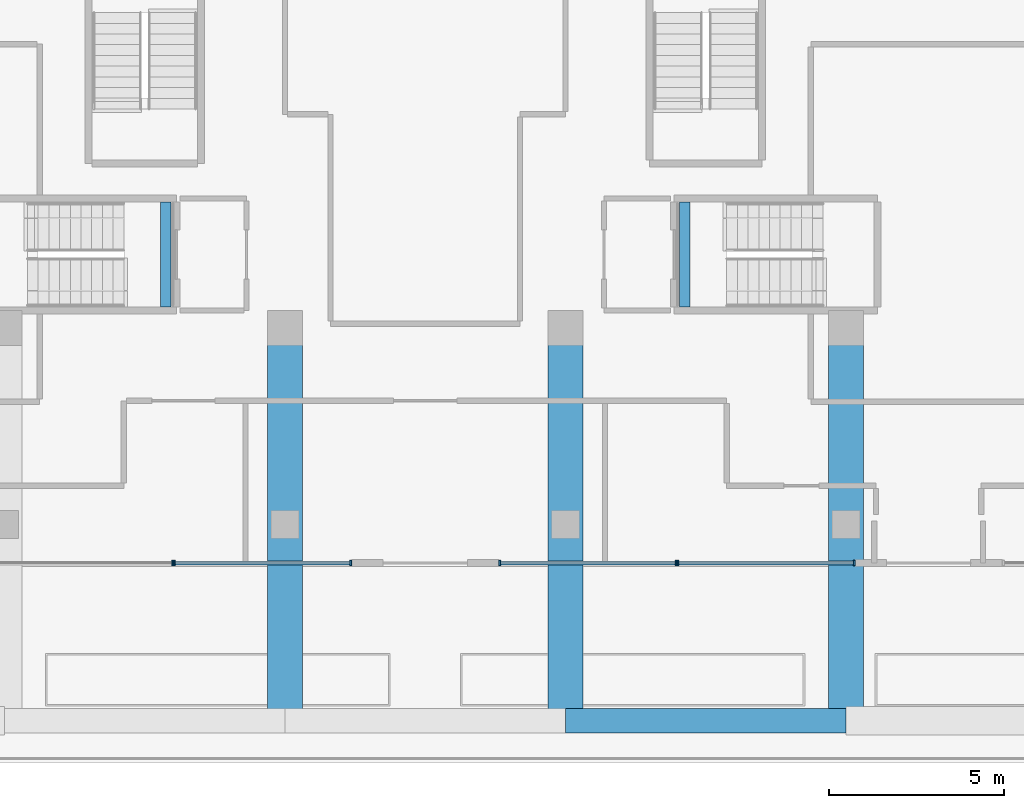
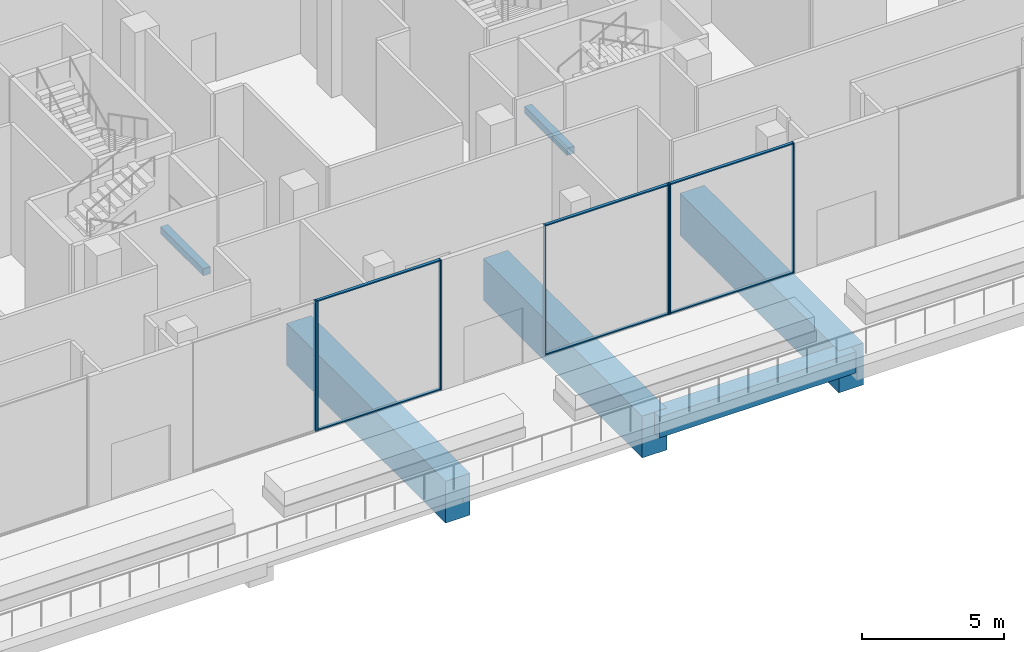
# One storey, part 6 of 36: 13 members, 6 beams, 4 elements without a shape of their own.
"""IFC4 building model written with IfcOpenShell, lengths in metres."""

import ifcopenshell
import ifcopenshell.guid

model = None  # the IFC model being written
_history = None  # IfcOwnerHistory: only IFC2X3 demands one
_inside = {}  # id of a spatial element -> (the spatial element, [elements in it])
_under = {}  # id of a project, library or spatial element -> (it, [spatial elements below it])
_declared = {}  # id of a project -> (the project, [libraries it declares])
_typed = {}  # id of a type object -> (the type object, [elements of that type])
_made_of = {}  # id of a material, layer set ... -> (it, [elements and type objects made of it])


def new_model(schema):
    """Start an empty IFC model of exactly this schema.

    Asked for "IFC4X3", IfcOpenShell would pick the latest addendum, in which some entities
    have other attributes; the version numbers below select the first issue.
    IFC2X3 requires an IfcOwnerHistory on every rooted entity: one is made here for all.
    """
    global model, _history
    if schema == "IFC4X3":
        model = ifcopenshell.file(schema_version=(4, 3, 0, 0))
    else:
        model = ifcopenshell.file(schema=schema)
    _inside.clear()
    _under.clear()
    _declared.clear()
    _typed.clear()
    _made_of.clear()
    _history = None
    if model.schema == "IFC2X3":
        org = make("IfcOrganization", Name="unknown")
        user = make(
            "IfcPersonAndOrganization",
            ThePerson=make("IfcPerson", FamilyName="unknown"),
            TheOrganization=org,
        )
        app = make(
            "IfcApplication",
            ApplicationDeveloper=org,
            Version="unknown",
            ApplicationFullName="unknown",
            ApplicationIdentifier="unknown",
        )
        _history = make(
            "IfcOwnerHistory",
            OwningUser=user,
            OwningApplication=app,
            ChangeAction="ADDED",
            CreationDate=0,
        )
    return model


def make(cls, **values):
    """One entity of the class cls with the attributes given. An attribute that is None is left unset."""
    return model.create_entity(
        cls, **{name: value for name, value in values.items() if value is not None}
    )


def rooted(cls, **values):
    """An entity with a GlobalId (a new one), such as an element, a storey or a relation."""
    return make(cls, GlobalId=ifcopenshell.guid.new(), OwnerHistory=_history, **values)


def si_unit(unit_type, name, prefix=None):
    """IfcSIUnit, for example si_unit("LENGTHUNIT", "METRE", prefix="MILLI")."""
    return make("IfcSIUnit", UnitType=unit_type, Prefix=prefix, Name=name)


def assignment(units):
    """IfcUnitAssignment: the units of a project."""
    return None if units is None else make("IfcUnitAssignment", Units=units)


def point(xyz):
    """IfcCartesianPoint."""
    return None if xyz is None else make("IfcCartesianPoint", Coordinates=xyz)


def direction(xyz):
    """IfcDirection."""
    return None if xyz is None else make("IfcDirection", DirectionRatios=xyz)


def frame(location, z_axis=None, x_axis=None):
    """IfcAxis2Placement3D, a coordinate frame: its origin and axes. An axis left out is left unset."""
    return make(
        "IfcAxis2Placement3D",
        Location=point(location),
        Axis=direction(z_axis),
        RefDirection=direction(x_axis),
    )


def frame_2d(location, x_axis=None):
    """IfcAxis2Placement2D, a coordinate frame in the plane: its origin and x axis."""
    return make(
        "IfcAxis2Placement2D", Location=point(location), RefDirection=direction(x_axis)
    )


def origin():
    """The frame at (0, 0, 0) with its axes left unset."""
    return frame((0.0, 0.0, 0.0))


def origin_2d():
    """The frame at (0, 0) in the plane with its x axis left unset."""
    return frame_2d((0.0, 0.0))


def place(relative_to, where):
    """IfcLocalPlacement: puts the frame where relative to a parent placement (None: the world)."""
    return make(
        "IfcLocalPlacement", PlacementRelTo=relative_to, RelativePlacement=where
    )


def context(
    kind, dimensions, precision=None, world=None, true_north=None, identifier=None
):
    """IfcGeometricRepresentationContext, for example the 3D "Model" context."""
    return make(
        "IfcGeometricRepresentationContext",
        ContextIdentifier=identifier,
        ContextType=kind,
        CoordinateSpaceDimension=dimensions,
        Precision=precision,
        WorldCoordinateSystem=world,
        TrueNorth=true_north,
    )


def subcontext(parent, identifier, kind, view, scale=None):
    """IfcGeometricRepresentationSubContext, for example "Body" below "Model"."""
    return make(
        "IfcGeometricRepresentationSubContext",
        ContextIdentifier=identifier,
        ContextType=kind,
        ParentContext=parent,
        TargetScale=scale,
        TargetView=view,
    )


def project(units=None, contexts=None):
    """IfcProject with its units and contexts."""
    return rooted(
        "IfcProject",
        Name="project",
        RepresentationContexts=contexts,
        UnitsInContext=assignment(units),
    )


def spatial(cls, under=None, at=None, **own):
    """A site, building, storey or space (cls), placed at a placement, below another one or the project."""
    s = rooted(cls, ObjectPlacement=at, **own)
    if under is not None:
        _under.setdefault(under.id(), (under, []))[1].append(s)
    return s


def profile(cls, at=None, kind="AREA", **sizes):
    """A parametric profile (cls). Its sizes go by their IFC names, for example OverallWidth=200.0."""
    return make(cls, ProfileType=kind, Position=at, **sizes)


def rectangle(**sizes):
    """IfcRectangleProfileDef."""
    return profile("IfcRectangleProfileDef", **sizes)


def extrude(swept, where, along, depth):
    """IfcExtrudedAreaSolid: the profile swept, set in the frame where, extruded along a direction by depth."""
    return make(
        "IfcExtrudedAreaSolid",
        SweptArea=swept,
        Position=where,
        ExtrudedDirection=direction(along),
        Depth=depth,
    )


def shape(context_of_items, identifier, shape_type, items):
    """IfcShapeRepresentation: the items that make up one representation, for example the "Body"."""
    return make(
        "IfcShapeRepresentation",
        ContextOfItems=context_of_items,
        RepresentationIdentifier=identifier,
        RepresentationType=shape_type,
        Items=items,
    )


def material(Name=None, Category=None):
    """IfcMaterial."""
    return make("IfcMaterial", Name=Name, Category=Category)


def layer(
    of_material, thickness, ventilated=None, Name=None, Category=None, Priority=None
):
    """IfcMaterialLayer: one layer of a wall or slab, of a material (None: an air gap)."""
    return make(
        "IfcMaterialLayer",
        Material=of_material,
        LayerThickness=thickness,
        IsVentilated=ventilated,
        Name=Name,
        Category=Category,
        Priority=Priority,
    )


def layer_set(layers, Name=None):
    """IfcMaterialLayerSet."""
    return make("IfcMaterialLayerSet", MaterialLayers=layers, LayerSetName=Name)


def material_profile(
    of_material, cross_section, Name=None, Category=None, Priority=None
):
    """IfcMaterialProfile: a cross section and its material."""
    return make(
        "IfcMaterialProfile",
        Name=Name,
        Material=of_material,
        Profile=cross_section,
        Priority=Priority,
        Category=Category,
    )


def profile_set(profiles, Name=None, composite=None):
    """IfcMaterialProfileSet."""
    return make(
        "IfcMaterialProfileSet",
        Name=Name,
        MaterialProfiles=profiles,
        CompositeProfile=composite,
    )


def made_of(thing, what):
    """Note that an element or type object is made of a material, layer set ...; save() writes the relation."""
    if what is not None:
        _made_of.setdefault(what.id(), (what, []))[1].append(thing)
    return thing


def type_object(cls, material=None, **own):
    """A type object (cls), such as IfcWallType, which elements share."""
    return made_of(rooted(cls, **own), material)


def element(
    cls,
    number,
    at=None,
    inside=None,
    cuts=None,
    type_object=None,
    material=None,
    context=None,
    identifier="Body",
    shape_type=None,
    held_by="IfcProductDefinitionShape",
    body=None,
    shapes=None,
    **own,
):
    """One element of the class cls, such as IfcWall. Its Tag is "e" and its number.

    at: its placement. inside: the storey or other place that contains it. cuts: it is an
    opening in that element (IfcRelVoidsElement). A single representation is given by context,
    identifier, shape_type and body (its items); several are given by shapes. held_by: the class
    of the entity that holds the representations. save() writes the other relations.
    """
    e = rooted(cls, Tag="e%d" % number, ObjectPlacement=at, **own)
    if body is not None:
        shapes = [shape(context, identifier, shape_type, body)]
    if shapes is not None:
        e.Representation = make(held_by, Representations=shapes)
    if inside is not None:
        _inside.setdefault(inside.id(), (inside, []))[1].append(e)
    if cuts is not None:
        rooted(
            "IfcRelVoidsElement", RelatingBuildingElement=cuts, RelatedOpeningElement=e
        )
    if type_object is not None:
        _typed.setdefault(type_object.id(), (type_object, []))[1].append(e)
    return made_of(e, material)


def aggregate(whole, parts):
    """IfcRelAggregates: a whole, such as a stair, and the parts it consists of."""
    return rooted("IfcRelAggregates", RelatingObject=whole, RelatedObjects=parts)


def save(model, path):
    """Write the relations noted so far, then the file.

    IfcRelAggregates (storeys below a building ...), IfcRelContainedInSpatialStructure (elements
    in a storey), IfcRelDefinesByType, IfcRelAssociatesMaterial and IfcRelDeclares: one each for
    every whole, place, type object, material and project.
    """
    for whole, parts in _under.values():
        aggregate(whole, parts)
    for where, things in _inside.values():
        rooted(
            "IfcRelContainedInSpatialStructure",
            RelatedElements=things,
            RelatingStructure=where,
        )
    for kind, things in _typed.values():
        rooted("IfcRelDefinesByType", RelatedObjects=things, RelatingType=kind)
    for what, things in _made_of.values():
        rooted("IfcRelAssociatesMaterial", RelatedObjects=things, RelatingMaterial=what)
    for by, libraries in _declared.values():
        rooted("IfcRelDeclares", RelatingContext=by, RelatedDefinitions=libraries)
    model.write(path)


model = new_model("IFC4")

# Units and contexts
model_context = context("Model", 3, precision=1e-05, world=origin(), true_north=direction((0.0, 1.0)))
body_context = subcontext(model_context, "Body", "Model", "MODEL_VIEW")
ifc_project = project(units=[si_unit("LENGTHUNIT", "METRE"), si_unit("AREAUNIT", "SQUARE_METRE"), si_unit("VOLUMEUNIT", "CUBIC_METRE"), si_unit("PLANEANGLEUNIT", "RADIAN"), si_unit("MASSUNIT", "GRAM", prefix="KILO")], contexts=[model_context])

# Site, building, storey
site_placement = place(None, origin())
site = spatial("IfcSite", under=ifc_project, at=site_placement, CompositionType="ELEMENT")
building_placement = place(site_placement, origin())
building = spatial("IfcBuilding", under=site, at=building_placement, Name="Triada Interchange Tower", CompositionType="ELEMENT")
storey_placement = place(building_placement, frame((0.0, 0.0, 8.5)))
storey = spatial("IfcBuildingStorey", under=building, at=storey_placement, Name="L01", CompositionType="ELEMENT", Elevation=8.5)

# Beams
ifc_material_1 = material(Name="Concrete C35/45", Category="concrete")
ifc_material_profile_1 = material_profile(ifc_material_1, rectangle(XDim=0.300048828125, YDim=0.300048828125, at=origin_2d()), Name="RC 300x300")
ifc_profile_set_1 = profile_set([ifc_material_profile_1], Name="Concrete C35/45")
beam_type_1 = type_object("IfcBeamType", Name="Landing support beam RC 300x300", PredefinedType="BEAM", material=ifc_profile_set_1)
for number, where, z_axis, x_axis, name in (
    (1, (-7.39990234375, -37.5, 2.491943359375), (0.0, 1.0, 0.0), (-1.0, 0.0, 0.0), "Landing support beam S01-4 1"),
    (2, (7.39990234375, -34.5, 2.491943359375), (0.0, -1.0, 0.0), (1.0, 0.0, 0.0), "Landing support beam S01-5 1"),
):
    element("IfcBeam", number, at=place(storey_placement, frame(where, z_axis=z_axis, x_axis=x_axis)), inside=storey, type_object=beam_type_1, Name=name, PredefinedType="BEAM", context=body_context, shape_type="SweptSolid", body=[
        extrude(rectangle(XDim=0.300048828125, YDim=0.300048828125, at=origin_2d()), origin(), (0.0, 0.0, 1.0), 3.0),
    ])

# Curtain wall, member
ifc_material_2 = material(Name="Aluminium framed glazing", Category="aluminium")
ifc_layer = layer(ifc_material_2, 0.199951171875)
ifc_layer_set = layer_set([ifc_layer], Name="Curtain wall Retail shopfront")
curtain_wall_type = type_object("IfcCurtainWallType", Name="Curtain wall Retail shopfront", PredefinedType="NOTDEFINED", material=ifc_layer_set)
curtain_wall_1_placement = place(storey_placement, origin())
curtain_wall_1 = element("IfcCurtainWall", 3, at=curtain_wall_1_placement, inside=storey, type_object=curtain_wall_type, Name="Retail shopfront CW004 L01", PredefinedType="NOTDEFINED")
ifc_material_3 = material(Name="Aluminium", Category="aluminium")
ifc_material_profile_2 = material_profile(ifc_material_3, rectangle(XDim=0.14990234375, YDim=0.050048828125, at=origin_2d()), Name="Aluminium mullion")
ifc_profile_set_2 = profile_set([ifc_material_profile_2], Name="Aluminium")
member_type_1 = type_object("IfcMemberType", Name="Mullion Retail shopfront 150x50", PredefinedType="MULLION", material=ifc_profile_set_2)
member_1_placement = place(storey_placement, frame((-7.2099609375, -44.800048828125, 0.0), z_axis=(0.0, 0.0, 1.0), x_axis=(0.0, 1.0, 0.0)))
member_1 = element("IfcMember", 4, at=member_1_placement, type_object=member_type_1, Name="CW004 mullion 2", PredefinedType="MULLION", context=body_context, shape_type="SweptSolid", body=[
    extrude(rectangle(XDim=0.14990234375, YDim=0.050048828125, at=origin_2d()), origin(), (0.0, 0.0, 1.0), 5.60009765625),
])
aggregate(curtain_wall_1, [member_1])

# Curtain wall, members
curtain_wall_2_placement = place(storey_placement, origin())
curtain_wall_2 = element("IfcCurtainWall", 5, at=curtain_wall_2_placement, inside=storey, type_object=curtain_wall_type, Name="Retail shopfront CW005 L01", PredefinedType="NOTDEFINED")
member_2_placement = place(storey_placement, frame((-7.14990234375, -44.800048828125, 0.0), z_axis=(0.0, 0.0, 1.0), x_axis=(0.0, 1.0, 0.0)))
member_2 = element("IfcMember", 6, at=member_2_placement, type_object=member_type_1, Name="CW005 mullion 1", PredefinedType="MULLION", context=body_context, shape_type="SweptSolid", body=[
    extrude(rectangle(XDim=0.14990234375, YDim=0.050048828125, at=origin_2d()), origin(), (0.0, 0.0, 1.0), 5.60009765625),
])
member_3_placement = place(storey_placement, frame((-2.125, -44.800048828125, 0.0), z_axis=(0.0, 0.0, 1.0), x_axis=(0.0, 1.0, 0.0)))
member_3 = element("IfcMember", 7, at=member_3_placement, type_object=member_type_1, Name="CW005 mullion 2", PredefinedType="MULLION", context=body_context, shape_type="SweptSolid", body=[
    extrude(rectangle(XDim=0.14990234375, YDim=0.050048828125, at=origin_2d()), origin(), (0.0, 0.0, 1.0), 5.60009765625),
])

curtain_wall_3_placement = place(storey_placement, origin())
curtain_wall_3 = element("IfcCurtainWall", 8, at=curtain_wall_3_placement, inside=storey, type_object=curtain_wall_type, Name="Retail shopfront CW006 L01", PredefinedType="NOTDEFINED")
member_4_placement = place(storey_placement, frame((2.125, -44.800048828125, 0.0), z_axis=(0.0, 0.0, 1.0), x_axis=(0.0, 1.0, 0.0)))
member_4 = element("IfcMember", 9, at=member_4_placement, type_object=member_type_1, Name="CW006 mullion 1", PredefinedType="MULLION", context=body_context, shape_type="SweptSolid", body=[
    extrude(rectangle(XDim=0.14990234375, YDim=0.050048828125, at=origin_2d()), origin(), (0.0, 0.0, 1.0), 5.60009765625),
])
member_5_placement = place(storey_placement, frame((7.14990234375, -44.800048828125, 0.0), z_axis=(0.0, 0.0, 1.0), x_axis=(0.0, 1.0, 0.0)))
member_5 = element("IfcMember", 10, at=member_5_placement, type_object=member_type_1, Name="CW006 mullion 2", PredefinedType="MULLION", context=body_context, shape_type="SweptSolid", body=[
    extrude(rectangle(XDim=0.14990234375, YDim=0.050048828125, at=origin_2d()), origin(), (0.0, 0.0, 1.0), 5.60009765625),
])

curtain_wall_4_placement = place(storey_placement, origin())
curtain_wall_4 = element("IfcCurtainWall", 11, at=curtain_wall_4_placement, inside=storey, type_object=curtain_wall_type, Name="Retail shopfront CW007 L01", PredefinedType="NOTDEFINED")
member_6_placement = place(storey_placement, frame((7.2099609375, -44.800048828125, 0.0), z_axis=(0.0, 0.0, 1.0), x_axis=(0.0, 1.0, 0.0)))
member_6 = element("IfcMember", 12, at=member_6_placement, type_object=member_type_1, Name="CW007 mullion 1", PredefinedType="MULLION", context=body_context, shape_type="SweptSolid", body=[
    extrude(rectangle(XDim=0.14990234375, YDim=0.050048828125, at=origin_2d()), origin(), (0.0, 0.0, 1.0), 5.60009765625),
])
member_7_placement = place(storey_placement, frame((12.235107421875, -44.800048828125, 0.0), z_axis=(0.0, 0.0, 1.0), x_axis=(0.0, 1.0, 0.0)))
member_7 = element("IfcMember", 13, at=member_7_placement, type_object=member_type_1, Name="CW007 mullion 2", PredefinedType="MULLION", context=body_context, shape_type="SweptSolid", body=[
    extrude(rectangle(XDim=0.14990234375, YDim=0.050048828125, at=origin_2d()), origin(), (0.0, 0.0, 1.0), 5.60009765625),
])

# Beams
ifc_material_4 = material(Name="Concrete C40/50", Category="concrete")
ifc_material_profile_3 = material_profile(ifc_material_4, rectangle(XDim=0.699951171875, YDim=0.89990234375, at=origin_2d()), Name="RC 700x900")
ifc_profile_set_3 = profile_set([ifc_material_profile_3], Name="Concrete C40/50")
beam_type_2 = type_object("IfcBeamType", Name="Terrace beam RC 700x900", PredefinedType="BEAM", material=ifc_profile_set_3)
beam_placement = place(storey_placement, frame((4.0, -49.300048828125, -0.85009765625), z_axis=(1.0, 0.0, 0.0), x_axis=(0.0, 1.0, 0.0)))
element("IfcBeam", 14, at=beam_placement, inside=storey, type_object=beam_type_2, Name="Terrace beam TE11 L01", PredefinedType="BEAM", context=body_context, shape_type="SweptSolid", body=[
    extrude(rectangle(XDim=0.699951171875, YDim=0.89990234375, at=origin_2d()), origin(), (0.0, 0.0, 1.0), 8.0),
])
ifc_material_5 = material(Name="Concrete C50/60", Category="concrete")
ifc_material_profile_4 = material_profile(ifc_material_5, rectangle(XDim=1.0, YDim=1.800048828125, at=origin_2d()), Name="RC 1000x1800")
ifc_profile_set_4 = profile_set([ifc_material_profile_4], Name="Concrete C50/60")
beam_type_3 = type_object("IfcBeamType", Name="Transfer girder RC 1000x1800", PredefinedType="BEAM", material=ifc_profile_set_4)
for number, where, z_axis, x_axis, name in (
    (15, (-4.0, -49.300048828125, -1.300048828125), (0.0, 1.0, 0.0), (-1.0, 0.0, 0.0), "Transfer girder TG08 L01"),
    (16, (4.0, -49.300048828125, -1.300048828125), (0.0, 1.0, 0.0), (-1.0, 0.0, 0.0), "Transfer girder TG09 L01"),
    (17, (12.0, -49.300048828125, -1.300048828125), (0.0, 1.0, 0.0), (-1.0, 0.0, 0.0), "Transfer girder TG10 L01"),
):
    element("IfcBeam", number, at=place(storey_placement, frame(where, z_axis=z_axis, x_axis=x_axis)), inside=storey, type_object=beam_type_3, Name=name, PredefinedType="BEAM", context=body_context, shape_type="SweptSolid", body=[
        extrude(rectangle(XDim=1.0, YDim=1.800048828125, at=origin_2d()), origin(), (0.0, 0.0, 1.0), 11.199951171875),
    ])

# Member
ifc_material_profile_5 = material_profile(ifc_material_3, rectangle(XDim=0.1201171875, YDim=0.050048828125, at=origin_2d()), Name="Aluminium transom")
ifc_profile_set_5 = profile_set([ifc_material_profile_5], Name="Aluminium")
member_type_2 = type_object("IfcMemberType", Name="Transom Retail shopfront 120x50", PredefinedType="USERDEFINED", material=ifc_profile_set_5)
member_8_placement = place(storey_placement, frame((-7.125, -44.800048828125, 0.02490234375), z_axis=(1.0, 0.0, 0.0), x_axis=(0.0, 1.0, 0.0)))
member_8 = element("IfcMember", 18, at=member_8_placement, type_object=member_type_2, Name="CW005 transom 1.1", ObjectType="TRANSOM", PredefinedType="USERDEFINED", context=body_context, shape_type="SweptSolid", body=[
    extrude(rectangle(XDim=0.1201171875, YDim=0.050048828125, at=origin_2d()), origin(), (0.0, 0.0, 1.0), 4.97509765625),
])

member_9_placement = place(storey_placement, frame((-7.125, -44.800048828125, 5.574951171875), z_axis=(1.0, 0.0, 0.0), x_axis=(0.0, 1.0, 0.0)))
member_9 = element("IfcMember", 19, at=member_9_placement, type_object=member_type_2, Name="CW005 transom 1.2", ObjectType="TRANSOM", PredefinedType="USERDEFINED", context=body_context, shape_type="SweptSolid", body=[
    extrude(rectangle(XDim=0.1201171875, YDim=0.050048828125, at=origin_2d()), origin(), (0.0, 0.0, 1.0), 4.97509765625),
])

aggregate(curtain_wall_2, [member_2, member_3, member_8, member_9])

member_10_placement = place(storey_placement, frame((2.14990234375, -44.800048828125, 0.02490234375), z_axis=(1.0, 0.0, 0.0), x_axis=(0.0, 1.0, 0.0)))
member_10 = element("IfcMember", 20, at=member_10_placement, type_object=member_type_2, Name="CW006 transom 1.1", ObjectType="TRANSOM", PredefinedType="USERDEFINED", context=body_context, shape_type="SweptSolid", body=[
    extrude(rectangle(XDim=0.1201171875, YDim=0.050048828125, at=origin_2d()), origin(), (0.0, 0.0, 1.0), 4.97509765625),
])

member_11_placement = place(storey_placement, frame((2.14990234375, -44.800048828125, 5.574951171875), z_axis=(1.0, 0.0, 0.0), x_axis=(0.0, 1.0, 0.0)))
member_11 = element("IfcMember", 21, at=member_11_placement, type_object=member_type_2, Name="CW006 transom 1.2", ObjectType="TRANSOM", PredefinedType="USERDEFINED", context=body_context, shape_type="SweptSolid", body=[
    extrude(rectangle(XDim=0.1201171875, YDim=0.050048828125, at=origin_2d()), origin(), (0.0, 0.0, 1.0), 4.97509765625),
])

aggregate(curtain_wall_3, [member_4, member_5, member_10, member_11])

member_12_placement = place(storey_placement, frame((7.235107421875, -44.800048828125, 0.02490234375), z_axis=(1.0, 0.0, 0.0), x_axis=(0.0, 1.0, 0.0)))
member_12 = element("IfcMember", 22, at=member_12_placement, type_object=member_type_2, Name="CW007 transom 1.1", ObjectType="TRANSOM", PredefinedType="USERDEFINED", context=body_context, shape_type="SweptSolid", body=[
    extrude(rectangle(XDim=0.1201171875, YDim=0.050048828125, at=origin_2d()), origin(), (0.0, 0.0, 1.0), 4.974853515625),
])

member_13_placement = place(storey_placement, frame((7.235107421875, -44.800048828125, 5.574951171875), z_axis=(1.0, 0.0, 0.0), x_axis=(0.0, 1.0, 0.0)))
member_13 = element("IfcMember", 23, at=member_13_placement, type_object=member_type_2, Name="CW007 transom 1.2", ObjectType="TRANSOM", PredefinedType="USERDEFINED", context=body_context, shape_type="SweptSolid", body=[
    extrude(rectangle(XDim=0.1201171875, YDim=0.050048828125, at=origin_2d()), origin(), (0.0, 0.0, 1.0), 4.974853515625),
])

aggregate(curtain_wall_4, [member_6, member_7, member_12, member_13])

save(model, "model.ifc")
